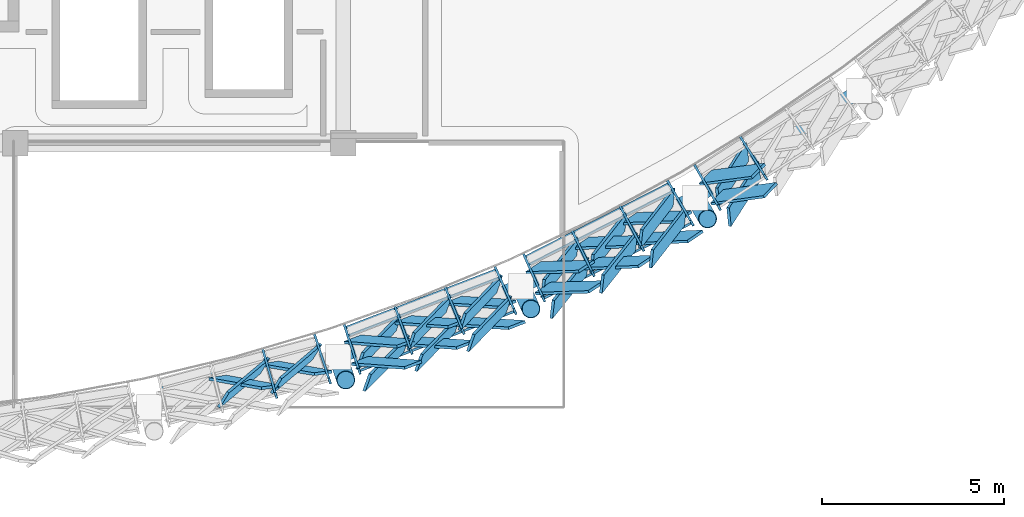
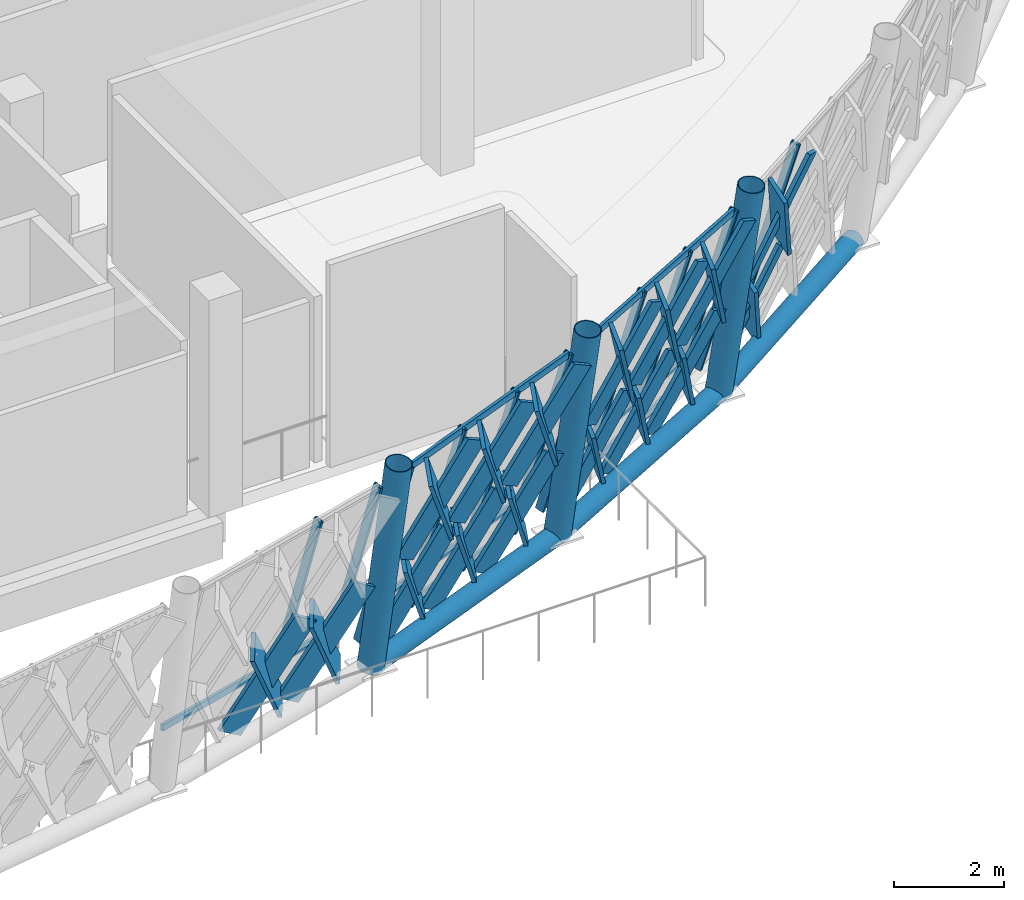
# One storey, part 85 of 177: 54 members, 3 beams, 4 elements without a shape of their own.
"""IFC4 building model written with IfcOpenShell, lengths in metres."""

from ifc_helpers import new_model, si_unit, direction, frame, origin, origin_2d, place, context, subcontext, project, spatial, rectangle, hollow_rectangle, hollow_circle, extrude, material, material_profile, profile_set, type_object, element, aggregate, save


model = new_model("IFC4")

# Units and contexts
model_context = context("Model", 3, precision=1e-05, world=origin(), true_north=direction((0.0, 1.0)))
body_context = subcontext(model_context, "Body", "Model", "MODEL_VIEW")
ifc_project = project(units=[si_unit("LENGTHUNIT", "METRE"), si_unit("AREAUNIT", "SQUARE_METRE"), si_unit("VOLUMEUNIT", "CUBIC_METRE"), si_unit("PLANEANGLEUNIT", "RADIAN"), si_unit("MASSUNIT", "GRAM", prefix="KILO")], contexts=[model_context])

# Site, building, storey
site_placement = place(None, origin())
site = spatial("IfcSite", under=ifc_project, at=site_placement, CompositionType="ELEMENT")
building_placement = place(site_placement, origin())
building = spatial("IfcBuilding", under=site, at=building_placement, Name="Chiffa Square Polytechnic", CompositionType="ELEMENT")
storey_placement = place(building_placement, frame((0.0, 0.0, 4.800048828125)))
storey = spatial("IfcBuildingStorey", under=building, at=storey_placement, Name="L01", CompositionType="ELEMENT", Elevation=4.800048828125)

# Beams
ifc_material_1 = material(Name="Steel S355", Category="steel")
ifc_material_profile_1 = material_profile(ifc_material_1, hollow_circle(Radius=0.203125, WallThickness=0.012451171875, at=origin_2d()), Name="CHS 406.4x12.5")
ifc_profile_set_1 = profile_set([ifc_material_profile_1], Name="Steel S355")
beam_type = type_object("IfcBeamType", Name="BM-STL-CHS406", PredefinedType="BEAM", material=ifc_profile_set_1)
beam_1_placement = place(storey_placement, frame((139.05908203125, 8.541015625, 0.0), z_axis=(0.933579683593, 0.358369884871, 0.0), x_axis=(-0.358369884871, 0.933579683593, 0.0)))
element("IfcBeam", 1, at=beam_1_placement, inside=storey, type_object=beam_type, Name="Prow V-column ring tie BM-V1-VRING-L01-06", PredefinedType="BEAM", context=body_context, shape_type="SweptSolid", body=[
    extrude(hollow_circle(Radius=0.203125, WallThickness=0.012451171875, at=origin_2d()), origin(), (0.0, 0.0, 1.0), 5.37158203125),
])
beam_2_placement = place(storey_placement, frame((144.073974609375, 10.466064453125, 0.0), z_axis=(0.890983301742, 0.454036073475, 0.0), x_axis=(-0.454036073475, 0.890983301742, 0.0)))
element("IfcBeam", 2, at=beam_2_placement, inside=storey, type_object=beam_type, Name="Prow V-column ring tie BM-V1-VRING-L01-07", PredefinedType="BEAM", context=body_context, shape_type="SweptSolid", body=[
    extrude(hollow_circle(Radius=0.203125, WallThickness=0.012451171875, at=origin_2d()), origin(), (0.0, 0.0, 1.0), 5.371826171875),
])
beam_3_placement = place(storey_placement, frame((148.860107421875, 12.905029296875, 0.0), z_axis=(0.83868025166, 0.544624123112, 0.0), x_axis=(-0.544624123112, 0.83868025166, 0.0)))
element("IfcBeam", 3, at=beam_3_placement, inside=storey, type_object=beam_type, Name="Prow V-column ring tie BM-V1-VRING-L01-08", PredefinedType="BEAM", context=body_context, shape_type="SweptSolid", body=[
    extrude(hollow_circle(Radius=0.203125, WallThickness=0.012451171875, at=origin_2d()), origin(), (0.0, 0.0, 1.0), 5.37255859375),
])

# Members
ifc_material_profile_2 = material_profile(ifc_material_1, hollow_circle(Radius=0.25390625, WallThickness=0.01611328125, at=origin_2d()), Name="CHS 508x16")
ifc_profile_set_2 = profile_set([ifc_material_profile_2], Name="Steel S355")
member_type_1 = type_object("IfcMemberType", Name="COL-VSTRUT-508", PredefinedType="STRUT", material=ifc_profile_set_2)
for number, where, z_axis, x_axis, name in (
    (4, (139.05908203125, 8.541015625, 0.0), (0.04330991739, -0.133253536527, 0.990135216048), (0.951028785972, 0.309102326507, 0.0), "Prow steel V-strut CV-V1-L01-03R"),
    (5, (144.073974609375, 10.466064453125, 0.0), (0.056958310883, -0.127916984654, 0.990147966649), (0.913529535316, 0.406772403324, 0.0), "Prow steel V-strut CV-V1-L01-04L"),
    (6, (148.860107421875, 12.905029296875, 0.0), (0.070101631151, -0.121318124599, 0.990135179636), (0.865844313662, 0.500313526201, 0.0), "Prow steel V-strut CV-V1-L01-04R"),
):
    element("IfcMember", number, at=place(storey_placement, frame(where, z_axis=z_axis, x_axis=x_axis)), inside=storey, type_object=member_type_1, Name=name, PredefinedType="STRUT", context=body_context, shape_type="SweptSolid", body=[
        extrude(hollow_circle(Radius=0.25390625, WallThickness=0.01611328125, at=origin_2d()), origin(), (0.0, 0.0, 1.0), 4.847900390625),
    ])

# Curtain wall, members
ifc_material_2 = material(Name="Aluminium EN AW-6060 T66 and glulam shading", Category="wood")
curtain_wall_type_1 = type_object("IfcCurtainWallType", Name="CW-PROW-LEAN-150", PredefinedType="USERDEFINED", material=ifc_material_2)
curtain_wall_1_placement = place(storey_placement, origin())
curtain_wall_1 = element("IfcCurtainWall", 7, at=curtain_wall_1_placement, inside=storey, type_object=curtain_wall_type_1, Name="Outward-leaning diamond-fin prow curtain wall CW-V1-L01-014", ObjectType="CURTAIN WALL", PredefinedType="USERDEFINED")
ifc_material_3 = material(Name="Aluminium EN AW-6060 T66", Category="aluminium")
ifc_material_profile_3 = material_profile(ifc_material_3, hollow_rectangle(XDim=0.06494140625, YDim=0.179931640625, WallThickness=0.00390625, at=origin_2d()), Name="ALU 65x180x4")
ifc_profile_set_3 = profile_set([ifc_material_profile_3], Name="Aluminium EN AW-6060 T66")
member_type_2 = type_object("IfcMemberType", Name="CWM-ALU-75X180", PredefinedType="MULLION", material=ifc_profile_set_3)
member_1_placement = place(storey_placement, frame((137.00390625, 8.692626953125, 0.0), z_axis=(0.075042882559, -0.26147016942, 0.962289933586), x_axis=(0.961195904488, 0.275866694609, 0.0)))
member_1 = element("IfcMember", 8, at=member_1_placement, type_object=member_type_2, Name="Leaning prow mullion CW-V1-L01-014-M02", PredefinedType="MULLION", context=body_context, shape_type="SweptSolid", body=[
    extrude(hollow_rectangle(XDim=0.06494140625, YDim=0.179931640625, WallThickness=0.00390625, at=origin_2d()), origin(), (0.0, 0.0, 1.0), 4.655517578125),
])
member_2_placement = place(storey_placement, frame((138.43408203125, 9.075927734375, 0.0), z_axis=(0.084160443573, -0.258983445985, 0.962208186643), x_axis=(0.951043973714, 0.309055593806, 0.0)))
member_2 = element("IfcMember", 9, at=member_2_placement, type_object=member_type_2, Name="Leaning prow mullion CW-V1-L01-014-M03", PredefinedType="MULLION", context=body_context, shape_type="SweptSolid", body=[
    extrude(hollow_rectangle(XDim=0.06494140625, YDim=0.179931640625, WallThickness=0.00390625, at=origin_2d()), origin(), (0.0, 0.0, 1.0), 4.656005859375),
])

curtain_wall_type_2 = type_object("IfcCurtainWallType", Name="CW-PROW-LEAN-300", PredefinedType="USERDEFINED", material=ifc_material_2)
curtain_wall_2_placement = place(storey_placement, origin())
curtain_wall_2 = element("IfcCurtainWall", 10, at=curtain_wall_2_placement, inside=storey, type_object=curtain_wall_type_2, Name="Outward-leaning diamond-fin prow curtain wall CW-V1-L01-015", ObjectType="CURTAIN WALL", PredefinedType="USERDEFINED")
member_3_placement = place(storey_placement, frame((139.25, 9.341064453125, 0.0), z_axis=(0.084211364534, -0.259031220919, 0.962190871227), x_axis=(0.951005770266, 0.309173130981, 0.0)))
member_3 = element("IfcMember", 11, at=member_3_placement, type_object=member_type_2, Name="Leaning prow mullion CW-V1-L01-015-M00", PredefinedType="MULLION", context=body_context, shape_type="SweptSolid", body=[
    extrude(hollow_rectangle(XDim=0.06494140625, YDim=0.179931640625, WallThickness=0.00390625, at=origin_2d()), origin(), (0.0, 0.0, 1.0), 4.656005859375),
])
member_4_placement = place(storey_placement, frame((140.63232421875, 9.871337890625, 0.0), z_axis=(0.092978752884, -0.255599797833, 0.962301249537), x_axis=(0.939754010898, 0.341851428257, 0.0)))
member_4 = element("IfcMember", 12, at=member_4_placement, type_object=member_type_2, Name="Leaning prow mullion CW-V1-L01-015-M01", PredefinedType="MULLION", context=body_context, shape_type="SweptSolid", body=[
    extrude(hollow_rectangle(XDim=0.06494140625, YDim=0.179931640625, WallThickness=0.00390625, at=origin_2d()), origin(), (0.0, 0.0, 1.0), 4.655517578125),
])
member_5_placement = place(storey_placement, frame((142.0146484375, 10.401611328125, 0.0), z_axis=(0.101842929082, -0.252142535029, 0.962316039472), x_axis=(0.927221232369, 0.374514066818, 0.0)))
member_5 = element("IfcMember", 13, at=member_5_placement, type_object=member_type_2, Name="Leaning prow mullion CW-V1-L01-015-M02", PredefinedType="MULLION", context=body_context, shape_type="SweptSolid", body=[
    extrude(hollow_rectangle(XDim=0.06494140625, YDim=0.179931640625, WallThickness=0.00390625, at=origin_2d()), origin(), (0.0, 0.0, 1.0), 4.655517578125),
])
member_6_placement = place(storey_placement, frame((143.39697265625, 10.931884765625, 0.0), z_axis=(0.110644117578, -0.248713293685, 0.962236757139), x_axis=(0.913668505073, 0.406460161439, 0.0)))
member_6 = element("IfcMember", 14, at=member_6_placement, type_object=member_type_2, Name="Leaning prow mullion CW-V1-L01-015-M03", PredefinedType="MULLION", context=body_context, shape_type="SweptSolid", body=[
    extrude(hollow_rectangle(XDim=0.06494140625, YDim=0.179931640625, WallThickness=0.00390625, at=origin_2d()), origin(), (0.0, 0.0, 1.0), 4.65576171875),
])

curtain_wall_3_placement = place(storey_placement, origin())
curtain_wall_3 = element("IfcCurtainWall", 15, at=curtain_wall_3_placement, inside=storey, type_object=curtain_wall_type_1, Name="Outward-leaning diamond-fin prow curtain wall CW-V1-L01-016", ObjectType="CURTAIN WALL", PredefinedType="USERDEFINED")
member_7_placement = place(storey_placement, frame((144.180908203125, 11.281005859375, 0.0), z_axis=(0.110644117578, -0.248713293685, 0.962236757139), x_axis=(0.913668505073, 0.406460161439, 0.0)))
member_7 = element("IfcMember", 16, at=member_7_placement, type_object=member_type_2, Name="Leaning prow mullion CW-V1-L01-016-M00", PredefinedType="MULLION", context=body_context, shape_type="SweptSolid", body=[
    extrude(hollow_rectangle(XDim=0.06494140625, YDim=0.179931640625, WallThickness=0.00390625, at=origin_2d()), origin(), (0.0, 0.0, 1.0), 4.65576171875),
])
member_8_placement = place(storey_placement, frame((145.5, 11.953369140625, 0.0), z_axis=(0.119147574397, -0.244483271055, 0.962305453424), x_axis=(0.898931461289, 0.43808929216, 0.0)))
member_8 = element("IfcMember", 17, at=member_8_placement, type_object=member_type_2, Name="Leaning prow mullion CW-V1-L01-016-M01", PredefinedType="MULLION", context=body_context, shape_type="SweptSolid", body=[
    extrude(hollow_rectangle(XDim=0.06494140625, YDim=0.179931640625, WallThickness=0.00390625, at=origin_2d()), origin(), (0.0, 0.0, 1.0), 4.655517578125),
])
member_9_placement = place(storey_placement, frame((146.819091796875, 12.625732421875, 0.0), z_axis=(0.127643944909, -0.240132137937, 0.96231158138), x_axis=(0.883003340166, 0.469366702329, 0.0)))
member_9 = element("IfcMember", 18, at=member_9_placement, type_object=member_type_2, Name="Leaning prow mullion CW-V1-L01-016-M02", PredefinedType="MULLION", context=body_context, shape_type="SweptSolid", body=[
    extrude(hollow_rectangle(XDim=0.06494140625, YDim=0.179931640625, WallThickness=0.00390625, at=origin_2d()), origin(), (0.0, 0.0, 1.0), 4.655517578125),
])
member_10_placement = place(storey_placement, frame((148.137939453125, 13.298095703125, 0.0), z_axis=(0.13617611756, -0.235856825871, 0.962199367437), x_axis=(0.866018860086, 0.500011333847, 0.0)))
member_10 = element("IfcMember", 19, at=member_10_placement, type_object=member_type_2, Name="Leaning prow mullion CW-V1-L01-016-M03", PredefinedType="MULLION", context=body_context, shape_type="SweptSolid", body=[
    extrude(hollow_rectangle(XDim=0.06494140625, YDim=0.179931640625, WallThickness=0.00390625, at=origin_2d()), origin(), (0.0, 0.0, 1.0), 4.656005859375),
])

curtain_wall_4_placement = place(storey_placement, origin())
curtain_wall_4 = element("IfcCurtainWall", 20, at=curtain_wall_4_placement, inside=storey, type_object=curtain_wall_type_2, Name="Outward-leaning diamond-fin prow curtain wall CW-V1-L01-017", ObjectType="CURTAIN WALL", PredefinedType="USERDEFINED")
member_11_placement = place(storey_placement, frame((148.882080078125, 13.72705078125, 0.0), z_axis=(0.13617611756, -0.235856825871, 0.962199367437), x_axis=(0.866018860086, 0.500011333847, 0.0)))
member_11 = element("IfcMember", 21, at=member_11_placement, type_object=member_type_2, Name="Leaning prow mullion CW-V1-L01-017-M00", PredefinedType="MULLION", context=body_context, shape_type="SweptSolid", body=[
    extrude(hollow_rectangle(XDim=0.06494140625, YDim=0.179931640625, WallThickness=0.00390625, at=origin_2d()), origin(), (0.0, 0.0, 1.0), 4.656005859375),
])
member_12_placement = place(storey_placement, frame((150.123046875, 14.533203125, 0.0), z_axis=(0.144159898434, -0.230687302005, 0.962289609409), x_axis=(0.8480307931, 0.529946953906, 0.0)))
member_12 = element("IfcMember", 22, at=member_12_placement, type_object=member_type_2, Name="Leaning prow mullion CW-V1-L01-017-M01", PredefinedType="MULLION", context=body_context, shape_type="SweptSolid", body=[
    extrude(hollow_rectangle(XDim=0.06494140625, YDim=0.179931640625, WallThickness=0.00390625, at=origin_2d()), origin(), (0.0, 0.0, 1.0), 4.655517578125),
])

# Member
ifc_material_4 = material(Name="Glulam GL28h", Category="wood")
ifc_material_profile_4 = material_profile(ifc_material_4, rectangle(XDim=0.080078125, YDim=0.580078125, at=origin_2d()), Name="GL28h 80x580")
ifc_profile_set_4 = profile_set([ifc_material_profile_4], Name="Glulam GL28h")
member_type_3 = type_object("IfcMemberType", Name="CWM-GL-80X580", PredefinedType="MULLION", material=ifc_profile_set_4)
member_13_placement = place(storey_placement, frame((135.751953125, 7.95703125, 0.0400390625), z_axis=(0.54615581689, -0.097227738831, 0.83202198918), x_axis=(-0.042715523536, 0.988716720039, 0.143577963369)))
member_13 = element("IfcMember", 23, at=member_13_placement, type_object=member_type_3, Name="Diamond glulam fin CW-V1-L01-014-DF03A", PredefinedType="MULLION", context=body_context, shape_type="SweptSolid", body=[
    extrude(rectangle(XDim=0.080078125, YDim=0.580078125, at=origin_2d()), origin(), (0.0, 0.0, 1.0), 2.64404296875),
])

member_14_placement = place(storey_placement, frame((137.02490234375, 8.298095703125, 0.0400390625), z_axis=(-0.424023175407, -0.357154785297, 0.832252849834), x_axis=(0.787019849683, -0.600009051767, 0.143488306149)))
member_14 = element("IfcMember", 24, at=member_14_placement, type_object=member_type_3, Name="Diamond glulam fin CW-V1-L01-014-DF03B", PredefinedType="MULLION", context=body_context, shape_type="SweptSolid", body=[
    extrude(rectangle(XDim=0.080078125, YDim=0.580078125, at=origin_2d()), origin(), (0.0, 0.0, 1.0), 2.643310546875),
])

member_15_placement = place(storey_placement, frame((137.18310546875, 8.341064453125, 0.0400390625), z_axis=(0.551473991504, -0.094916804408, 0.828774539266), x_axis=(-0.047553351805, 0.988313088543, 0.144830651958)))
member_15 = element("IfcMember", 25, at=member_15_placement, type_object=member_type_3, Name="Diamond glulam fin CW-V1-L01-014-DF05A", PredefinedType="MULLION", context=body_context, shape_type="SweptSolid", body=[
    extrude(rectangle(XDim=0.080078125, YDim=0.580078125, at=origin_2d()), origin(), (0.0, 0.0, 1.0), 2.654541015625),
])

member_16_placement = place(storey_placement, frame((138.4560546875, 8.681884765625, 0.0400390625), z_axis=(-0.417842652939, -0.35664066649, 0.835592575596), x_axis=(0.79157985156, -0.594294181072, 0.142182154115)))
member_16 = element("IfcMember", 26, at=member_16_placement, type_object=member_type_3, Name="Diamond glulam fin CW-V1-L01-014-DF05B", PredefinedType="MULLION", context=body_context, shape_type="SweptSolid", body=[
    extrude(rectangle(XDim=0.080078125, YDim=0.580078125, at=origin_2d()), origin(), (0.0, 0.0, 1.0), 2.6328125),
])

member_17_placement = place(storey_placement, frame((139.464111328125, 9.009033203125, 0.0400390625), z_axis=(0.547675020694, -0.042563974687, 0.835607790633), x_axis=(-0.226217293255, 0.953976664428, 0.196861016861)))
member_17 = element("IfcMember", 27, at=member_17_placement, type_object=member_type_3, Name="Diamond glulam fin CW-V1-L01-015-DF01A", PredefinedType="MULLION", context=body_context, shape_type="SweptSolid", body=[
    extrude(rectangle(XDim=0.080078125, YDim=0.580078125, at=origin_2d()), origin(), (0.0, 0.0, 1.0), 2.6328125),
])

member_18_placement = place(storey_placement, frame((140.695068359375, 9.48095703125, 0.0400390625), z_axis=(-0.390669971788, -0.400786190455, 0.828702240062), x_axis=(0.875819955022, -0.438986481693, 0.200574862026)))
member_18 = element("IfcMember", 28, at=member_18_placement, type_object=member_type_3, Name="Diamond glulam fin CW-V1-L01-015-DF01B", PredefinedType="MULLION", context=body_context, shape_type="SweptSolid", body=[
    extrude(rectangle(XDim=0.080078125, YDim=0.580078125, at=origin_2d()), origin(), (0.0, 0.0, 1.0), 2.65478515625),
])

member_19_placement = place(storey_placement, frame((139.657958984375, 8.4169921875, 2.239990234375), z_axis=(0.55251265861, -0.039729171104, 0.832557118184), x_axis=(-0.230635936655, 0.952575054049, 0.198514057756)))
member_19 = element("IfcMember", 29, at=member_19_placement, type_object=member_type_3, Name="Diamond glulam fin CW-V1-L01-015-DF02A", PredefinedType="MULLION", context=body_context, shape_type="SweptSolid", body=[
    extrude(rectangle(XDim=0.080078125, YDim=0.580078125, at=origin_2d()), origin(), (0.0, 0.0, 1.0), 2.642333984375),
])

member_20_placement = place(storey_placement, frame((140.906005859375, 8.89697265625, 2.239990234375), z_axis=(-0.395914278371, -0.401961568899, 0.825638408331), x_axis=(0.872754029212, -0.44431878016, 0.20219106333)))
member_20 = element("IfcMember", 30, at=member_20_placement, type_object=member_type_3, Name="Diamond glulam fin CW-V1-L01-015-DF02B", PredefinedType="MULLION", context=body_context, shape_type="SweptSolid", body=[
    extrude(rectangle(XDim=0.080078125, YDim=0.580078125, at=origin_2d()), origin(), (0.0, 0.0, 1.0), 2.66455078125),
])

member_21_placement = place(storey_placement, frame((140.846923828125, 9.5400390625, 0.0400390625), z_axis=(0.553089956729, -0.039710916913, 0.832174586757), x_axis=(-0.230601604622, 0.952540437234, 0.198719942081)))
member_21 = element("IfcMember", 31, at=member_21_placement, type_object=member_type_3, Name="Diamond glulam fin CW-V1-L01-015-DF03A", PredefinedType="MULLION", context=body_context, shape_type="SweptSolid", body=[
    extrude(rectangle(XDim=0.080078125, YDim=0.580078125, at=origin_2d()), origin(), (0.0, 0.0, 1.0), 2.6435546875),
])

member_22_placement = place(storey_placement, frame((142.076904296875, 10.011962890625, 0.0400390625), z_axis=(-0.384642068724, -0.399418234629, 0.832175193582), x_axis=(0.879328473054, -0.432772400695, 0.198719615722)))
member_22 = element("IfcMember", 32, at=member_22_placement, type_object=member_type_3, Name="Diamond glulam fin CW-V1-L01-015-DF03B", PredefinedType="MULLION", context=body_context, shape_type="SweptSolid", body=[
    extrude(rectangle(XDim=0.080078125, YDim=0.580078125, at=origin_2d()), origin(), (0.0, 0.0, 1.0), 2.6435546875),
])

member_23_placement = place(storey_placement, frame((141.06005859375, 8.9560546875, 2.239990234375), z_axis=(0.558051612073, -0.036982648871, 0.828981713879), x_axis=(-0.234696340329, 0.951181817739, 0.200426488865)))
member_23 = element("IfcMember", 33, at=member_23_placement, type_object=member_type_3, Name="Diamond glulam fin CW-V1-L01-015-DF04A", PredefinedType="MULLION", context=body_context, shape_type="SweptSolid", body=[
    extrude(rectangle(XDim=0.080078125, YDim=0.580078125, at=origin_2d()), origin(), (0.0, 0.0, 1.0), 2.65380859375),
])

member_24_placement = place(storey_placement, frame((142.30908203125, 9.43505859375, 2.239990234375), z_axis=(-0.390103792148, -0.400592431842, 0.829062563925), x_axis=(0.876122062429, -0.438470717817, 0.200383535604)))
member_24 = element("IfcMember", 34, at=member_24_placement, type_object=member_type_3, Name="Diamond glulam fin CW-V1-L01-015-DF04B", PredefinedType="MULLION", context=body_context, shape_type="SweptSolid", body=[
    extrude(rectangle(XDim=0.080078125, YDim=0.580078125, at=origin_2d()), origin(), (0.0, 0.0, 1.0), 2.653564453125),
])

member_25_placement = place(storey_placement, frame((142.22900390625, 10.070068359375, 0.0400390625), z_axis=(0.558565632734, -0.036600118839, 0.828652439343), x_axis=(-0.235284878635, 0.950999553377, 0.200601284549)))
member_25 = element("IfcMember", 35, at=member_25_placement, type_object=member_type_3, Name="Diamond glulam fin CW-V1-L01-015-DF05A", PredefinedType="MULLION", context=body_context, shape_type="SweptSolid", body=[
    extrude(rectangle(XDim=0.080078125, YDim=0.580078125, at=origin_2d()), origin(), (0.0, 0.0, 1.0), 2.65478515625),
])

member_26_placement = place(storey_placement, frame((143.4599609375, 10.5419921875, 0.0400390625), z_axis=(-0.378689059198, -0.398068592345, 0.835545326258), x_axis=(0.882784714429, -0.42652488998, 0.196895063927)))
member_26 = element("IfcMember", 36, at=member_26_placement, type_object=member_type_3, Name="Diamond glulam fin CW-V1-L01-015-DF05B", PredefinedType="MULLION", context=body_context, shape_type="SweptSolid", body=[
    extrude(rectangle(XDim=0.080078125, YDim=0.580078125, at=origin_2d()), origin(), (0.0, 0.0, 1.0), 2.633056640625),
])

member_27_placement = place(storey_placement, frame((142.462890625, 9.493896484375, 2.239990234375), z_axis=(0.563024942078, -0.033722848093, 0.825751587413), x_axis=(-0.239575969626, 0.949603144563, 0.202131696214)))
member_27 = element("IfcMember", 37, at=member_27_placement, type_object=member_type_3, Name="Diamond glulam fin CW-V1-L01-015-DF06A", PredefinedType="MULLION", context=body_context, shape_type="SweptSolid", body=[
    extrude(rectangle(XDim=0.080078125, YDim=0.580078125, at=origin_2d()), origin(), (0.0, 0.0, 1.0), 2.6640625),
])

member_28_placement = place(storey_placement, frame((143.7119140625, 9.972900390625, 2.239990234375), z_axis=(-0.384068976759, -0.399221084575, 0.832534411734), x_axis=(0.879633265325, -0.432241404513, 0.198526287322)))
member_28 = element("IfcMember", 38, at=member_28_placement, type_object=member_type_3, Name="Diamond glulam fin CW-V1-L01-015-DF06B", PredefinedType="MULLION", context=body_context, shape_type="SweptSolid", body=[
    extrude(rectangle(XDim=0.080078125, YDim=0.580078125, at=origin_2d()), origin(), (0.0, 0.0, 1.0), 2.642578125),
])

member_29_placement = place(storey_placement, frame((144.428955078125, 10.97412109375, 0.0400390625), z_axis=(0.548955303699, 0.014746391838, 0.835721615413), x_axis=(-0.403199018094, 0.880496949765, 0.249310395415)))
member_29 = element("IfcMember", 39, at=member_29_placement, type_object=member_type_3, Name="Diamond glulam fin CW-V1-L01-016-DF01A", PredefinedType="MULLION", context=body_context, shape_type="SweptSolid", body=[
    extrude(rectangle(XDim=0.080078125, YDim=0.580078125, at=origin_2d()), origin(), (0.0, 0.0, 1.0), 2.63232421875),
])

member_30_placement = place(storey_placement, frame((145.60302734375, 11.572021484375, 0.0400390625), z_axis=(-0.34691843916, -0.439509710889, 0.828540168372), x_axis=(0.932437119712, -0.256791722586, 0.254202732073)))
member_30 = element("IfcMember", 40, at=member_30_placement, type_object=member_type_3, Name="Diamond glulam fin CW-V1-L01-016-DF01B", PredefinedType="MULLION", context=body_context, shape_type="SweptSolid", body=[
    extrude(rectangle(XDim=0.080078125, YDim=0.580078125, at=origin_2d()), origin(), (0.0, 0.0, 1.0), 2.6552734375),
])

member_31_placement = place(storey_placement, frame((144.681884765625, 10.405029296875, 2.239990234375), z_axis=(0.553692113786, 0.018108402186, 0.832524551531), x_axis=(-0.406880904379, 0.87817594186, 0.251505357379)))
member_31 = element("IfcMember", 41, at=member_31_placement, type_object=member_type_3, Name="Diamond glulam fin CW-V1-L01-016-DF02A", PredefinedType="MULLION", context=body_context, shape_type="SweptSolid", body=[
    extrude(rectangle(XDim=0.080078125, YDim=0.580078125, at=origin_2d()), origin(), (0.0, 0.0, 1.0), 2.642578125),
])

member_32_placement = place(storey_placement, frame((145.8740234375, 11.012939453125, 2.239990234375), z_axis=(-0.351955229616, -0.441272342806, 0.825473340466), x_axis=(0.930255139538, -0.262603981886, 0.256250900606)))
member_32 = element("IfcMember", 42, at=member_32_placement, type_object=member_type_3, Name="Diamond glulam fin CW-V1-L01-016-DF02B", PredefinedType="MULLION", context=body_context, shape_type="SweptSolid", body=[
    extrude(rectangle(XDim=0.080078125, YDim=0.580078125, at=origin_2d()), origin(), (0.0, 0.0, 1.0), 2.6650390625),
])

member_33_placement = place(storey_placement, frame((145.748046875, 11.64599609375, 0.0400390625), z_axis=(0.55413563962, 0.018563543927, 0.832219374769), x_axis=(-0.407439847827, 0.877857115129, 0.251713439887)))
member_33 = element("IfcMember", 43, at=member_33_placement, type_object=member_type_3, Name="Diamond glulam fin CW-V1-L01-016-DF03A", PredefinedType="MULLION", context=body_context, shape_type="SweptSolid", body=[
    extrude(rectangle(XDim=0.080078125, YDim=0.580078125, at=origin_2d()), origin(), (0.0, 0.0, 1.0), 2.6435546875),
])

member_34_placement = place(storey_placement, frame((146.922119140625, 12.2451171875, 0.0400390625), z_axis=(-0.340812118942, -0.437672566726, 0.832039556702), x_axis=(0.935084865656, -0.249389169213, 0.251835931313)))
member_34 = element("IfcMember", 44, at=member_34_placement, type_object=member_type_3, Name="Diamond glulam fin CW-V1-L01-016-DF03B", PredefinedType="MULLION", context=body_context, shape_type="SweptSolid", body=[
    extrude(rectangle(XDim=0.080078125, YDim=0.580078125, at=origin_2d()), origin(), (0.0, 0.0, 1.0), 2.64404296875),
])

member_35_placement = place(storey_placement, frame((146.02099609375, 11.087890625, 2.239990234375), z_axis=(0.558806124699, 0.021895926519, 0.829009217923), x_axis=(-0.410959618133, 0.875587463447, 0.253887349266)))
member_35 = element("IfcMember", 45, at=member_35_placement, type_object=member_type_3, Name="Diamond glulam fin CW-V1-L01-016-DF04A", PredefinedType="MULLION", context=body_context, shape_type="SweptSolid", body=[
    extrude(rectangle(XDim=0.080078125, YDim=0.580078125, at=origin_2d()), origin(), (0.0, 0.0, 1.0), 2.65380859375),
])

member_36_placement = place(storey_placement, frame((147.212890625, 11.695068359375, 2.239990234375), z_axis=(-0.345978195811, -0.439097859152, 0.829151468738), x_axis=(0.932830335779, -0.25576824285, 0.253791588908)))
member_36 = element("IfcMember", 46, at=member_36_placement, type_object=member_type_3, Name="Diamond glulam fin CW-V1-L01-016-DF04B", PredefinedType="MULLION", context=body_context, shape_type="SweptSolid", body=[
    extrude(rectangle(XDim=0.080078125, YDim=0.580078125, at=origin_2d()), origin(), (0.0, 0.0, 1.0), 2.6533203125),
])

member_37_placement = place(storey_placement, frame((147.06689453125, 12.319091796875, 0.0400390625), z_axis=(0.559376296268, 0.021793881673, 0.828627290098), x_axis=(-0.410591944006, 0.875685436293, 0.254144195648)))
member_37 = element("IfcMember", 47, at=member_37_placement, type_object=member_type_3, Name="Diamond glulam fin CW-V1-L01-016-DF05A", PredefinedType="MULLION", context=body_context, shape_type="SweptSolid", body=[
    extrude(rectangle(XDim=0.080078125, YDim=0.580078125, at=origin_2d()), origin(), (0.0, 0.0, 1.0), 2.655029296875),
])

member_38_placement = place(storey_placement, frame((148.240966796875, 12.9169921875, 0.0400390625), z_axis=(-0.334580762133, -0.43565976178, 0.835617308088), x_axis=(0.937723896295, -0.241831118264, 0.249382446368)))
member_38 = element("IfcMember", 48, at=member_38_placement, type_object=member_type_3, Name="Diamond glulam fin CW-V1-L01-016-DF05B", PredefinedType="MULLION", context=body_context, shape_type="SweptSolid", body=[
    extrude(rectangle(XDim=0.080078125, YDim=0.580078125, at=origin_2d()), origin(), (0.0, 0.0, 1.0), 2.6328125),
])

member_39_placement = place(storey_placement, frame((147.360107421875, 11.77001953125, 2.239990234375), z_axis=(0.563662848109, 0.025471110496, 0.825612146345), x_axis=(-0.414660216289, 0.873177883785, 0.256158717003)))
member_39 = element("IfcMember", 49, at=member_39_placement, type_object=member_type_3, Name="Diamond glulam fin CW-V1-L01-016-DF06A", PredefinedType="MULLION", context=body_context, shape_type="SweptSolid", body=[
    extrude(rectangle(XDim=0.080078125, YDim=0.580078125, at=origin_2d()), origin(), (0.0, 0.0, 1.0), 2.66455078125),
])

member_40_placement = place(storey_placement, frame((148.552001953125, 12.376953125, 2.239990234375), z_axis=(-0.340201020651, -0.437124125123, 0.832577783023), x_axis=(0.935300283645, -0.248951206328, 0.251469036427)))
member_40 = element("IfcMember", 50, at=member_40_placement, type_object=member_type_3, Name="Diamond glulam fin CW-V1-L01-016-DF06B", PredefinedType="MULLION", context=body_context, shape_type="SweptSolid", body=[
    extrude(rectangle(XDim=0.080078125, YDim=0.580078125, at=origin_2d()), origin(), (0.0, 0.0, 1.0), 2.642333984375),
])

member_41_placement = place(storey_placement, frame((149.159912109375, 13.447021484375, 0.0400390625), z_axis=(0.544666281892, 0.072140001245, 0.835544410304), x_axis=(-0.561248954248, 0.77165842834, 0.299237165687)))
member_41 = element("IfcMember", 51, at=member_41_placement, type_object=member_type_3, Name="Diamond glulam fin CW-V1-L01-017-DF01A", PredefinedType="MULLION", context=body_context, shape_type="SweptSolid", body=[
    extrude(rectangle(XDim=0.080078125, YDim=0.580078125, at=origin_2d()), origin(), (0.0, 0.0, 1.0), 2.633056640625),
])

member_42_placement = place(storey_placement, frame((150.264892578125, 14.1650390625, 0.0400390625), z_axis=(-0.298390884432, -0.473249414428, 0.828853347602), x_axis=(0.950194990142, -0.065445657371, 0.30470698489)))
member_42 = element("IfcMember", 52, at=member_42_placement, type_object=member_type_3, Name="Diamond glulam fin CW-V1-L01-017-DF01B", PredefinedType="MULLION", context=body_context, shape_type="SweptSolid", body=[
    extrude(rectangle(XDim=0.080078125, YDim=0.580078125, at=origin_2d()), origin(), (0.0, 0.0, 1.0), 2.654296875),
])

member_43_placement = place(storey_placement, frame((149.472900390625, 12.908935546875, 2.239990234375), z_axis=(0.54853736232, 0.075682631358, 0.832693762106), x_axis=(-0.563888487656, 0.768814829705, 0.301585031317)))
member_43 = element("IfcMember", 53, at=member_43_placement, type_object=member_type_3, Name="Diamond glulam fin CW-V1-L01-017-DF02A", PredefinedType="MULLION", context=body_context, shape_type="SweptSolid", body=[
    extrude(rectangle(XDim=0.080078125, YDim=0.580078125, at=origin_2d()), origin(), (0.0, 0.0, 1.0), 2.64208984375),
])

member_44_placement = place(storey_placement, frame((150.593994140625, 13.636962890625, 2.239990234375), z_axis=(-0.303658110747, -0.47546226212, 0.825667844279), x_axis=(0.948865182398, -0.072423247972, 0.307261678031)))
member_44 = element("IfcMember", 54, at=member_44_placement, type_object=member_type_3, Name="Diamond glulam fin CW-V1-L01-017-DF02B", PredefinedType="MULLION", context=body_context, shape_type="SweptSolid", body=[
    extrude(rectangle(XDim=0.080078125, YDim=0.580078125, at=origin_2d()), origin(), (0.0, 0.0, 1.0), 2.66455078125),
])

aggregate(curtain_wall_4, [member_11, member_12, member_41, member_42, member_43, member_44])

ifc_material_profile_5 = material_profile(ifc_material_3, hollow_rectangle(XDim=0.06494140625, YDim=0.139892578125, WallThickness=0.00390625, at=origin_2d()), Name="ALU 65x140x4")
ifc_profile_set_5 = profile_set([ifc_material_profile_5], Name="Aluminium EN AW-6060 T66")
member_type_4 = type_object("IfcMemberType", Name="CWT-ALU-75X140", PredefinedType="USERDEFINED", material=ifc_profile_set_5)
member_45_placement = place(storey_placement, frame((134.194091796875, 7.690673828125, 0.849853515625), z_axis=(0.965897536404, 0.258924601321, 0.0), x_axis=(-0.258924601321, 0.965897536404, 0.0)))
member_45 = element("IfcMember", 55, at=member_45_placement, type_object=member_type_4, Name="Leaning prow transom CW-V1-L01-014-T02", ObjectType="TRANSOM", PredefinedType="USERDEFINED", context=body_context, shape_type="SweptSolid", body=[
    extrude(hollow_rectangle(XDim=0.06494140625, YDim=0.139892578125, WallThickness=0.00390625, at=origin_2d()), origin(), (0.0, 0.0, 1.0), 4.466552734375),
])

aggregate(curtain_wall_1, [member_1, member_2, member_45, member_13, member_14, member_15, member_16])

member_46_placement = place(storey_placement, frame((139.25341796875, 9.330078125, 0.0400390625), z_axis=(0.933639864367, 0.358213070203, 0.0), x_axis=(-0.358213070203, 0.933639864367, 0.0)))
member_46 = element("IfcMember", 56, at=member_46_placement, type_object=member_type_4, Name="Leaning prow transom CW-V1-L01-015-T01", ObjectType="TRANSOM", PredefinedType="USERDEFINED", context=body_context, shape_type="SweptSolid", body=[
    extrude(hollow_rectangle(XDim=0.06494140625, YDim=0.139892578125, WallThickness=0.00390625, at=origin_2d()), origin(), (0.0, 0.0, 1.0), 4.443115234375),
])

member_47_placement = place(storey_placement, frame((139.324462890625, 9.1123046875, 0.849853515625), z_axis=(0.933631283954, 0.358235433232, 0.0), x_axis=(-0.358235433232, 0.933631283954, 0.0)))
member_47 = element("IfcMember", 57, at=member_47_placement, type_object=member_type_4, Name="Leaning prow transom CW-V1-L01-015-T02", ObjectType="TRANSOM", PredefinedType="USERDEFINED", context=body_context, shape_type="SweptSolid", body=[
    extrude(hollow_rectangle(XDim=0.06494140625, YDim=0.139892578125, WallThickness=0.00390625, at=origin_2d()), origin(), (0.0, 0.0, 1.0), 4.466552734375),
])

member_48_placement = place(storey_placement, frame((139.638427734375, 8.145751953125, 4.43994140625), z_axis=(0.933602691125, 0.35830994282, 0.0), x_axis=(-0.35830994282, 0.933602691125, 0.0)))
member_48 = element("IfcMember", 58, at=member_48_placement, type_object=member_type_4, Name="Leaning prow transom CW-V1-L01-015-T03", ObjectType="TRANSOM", PredefinedType="USERDEFINED", context=body_context, shape_type="SweptSolid", body=[
    extrude(hollow_rectangle(XDim=0.06494140625, YDim=0.139892578125, WallThickness=0.00390625, at=origin_2d()), origin(), (0.0, 0.0, 1.0), 4.57275390625),
])

aggregate(curtain_wall_2, [member_3, member_4, member_5, member_6, member_46, member_47, member_48, member_17, member_18, member_19, member_20, member_21, member_22, member_23, member_24, member_25, member_26, member_27, member_28])

member_49_placement = place(storey_placement, frame((144.185546875, 11.270751953125, 0.0400390625), z_axis=(0.890960641185, 0.454080538957, 0.0), x_axis=(-0.454080538957, 0.890960641185, 0.0)))
member_49 = element("IfcMember", 59, at=member_49_placement, type_object=member_type_4, Name="Leaning prow transom CW-V1-L01-016-T01", ObjectType="TRANSOM", PredefinedType="USERDEFINED", context=body_context, shape_type="SweptSolid", body=[
    extrude(hollow_rectangle(XDim=0.06494140625, YDim=0.139892578125, WallThickness=0.00390625, at=origin_2d()), origin(), (0.0, 0.0, 1.0), 4.442626953125),
])

member_50_placement = place(storey_placement, frame((144.27880859375, 11.061279296875, 0.849853515625), z_axis=(0.890946041226, 0.454109184694, 0.0), x_axis=(-0.454109184694, 0.890946041226, 0.0)))
member_50 = element("IfcMember", 60, at=member_50_placement, type_object=member_type_4, Name="Leaning prow transom CW-V1-L01-016-T02", ObjectType="TRANSOM", PredefinedType="USERDEFINED", context=body_context, shape_type="SweptSolid", body=[
    extrude(hollow_rectangle(XDim=0.06494140625, YDim=0.139892578125, WallThickness=0.00390625, at=origin_2d()), origin(), (0.0, 0.0, 1.0), 4.466552734375),
])

member_51_placement = place(storey_placement, frame((144.69140625, 10.13330078125, 4.43994140625), z_axis=(0.890995495696, 0.454012143724, 0.0), x_axis=(-0.454012143724, 0.890995495696, 0.0)))
member_51 = element("IfcMember", 61, at=member_51_placement, type_object=member_type_4, Name="Leaning prow transom CW-V1-L01-016-T03", ObjectType="TRANSOM", PredefinedType="USERDEFINED", context=body_context, shape_type="SweptSolid", body=[
    extrude(hollow_rectangle(XDim=0.06494140625, YDim=0.139892578125, WallThickness=0.00390625, at=origin_2d()), origin(), (0.0, 0.0, 1.0), 4.573486328125),
])

aggregate(curtain_wall_3, [member_7, member_8, member_9, member_10, member_49, member_50, member_51, member_29, member_30, member_31, member_32, member_33, member_34, member_35, member_36, member_37, member_38, member_39, member_40])

save(model, "model.ifc")
